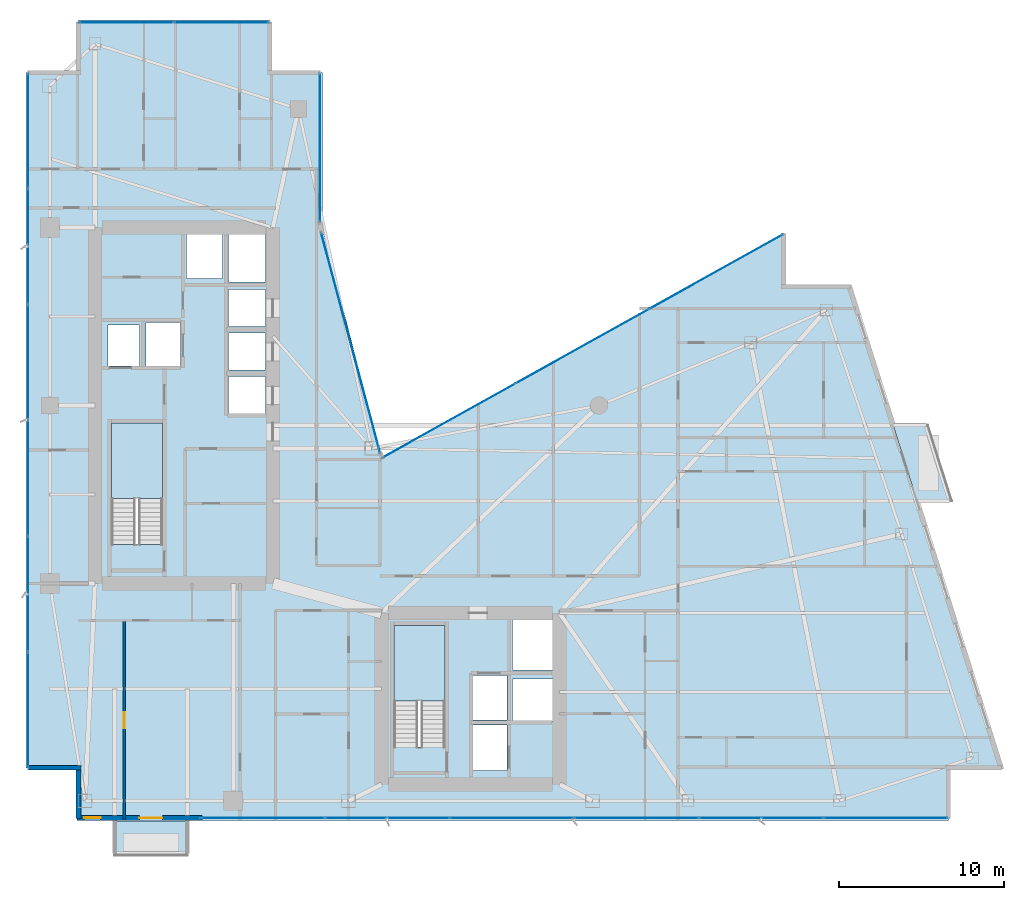
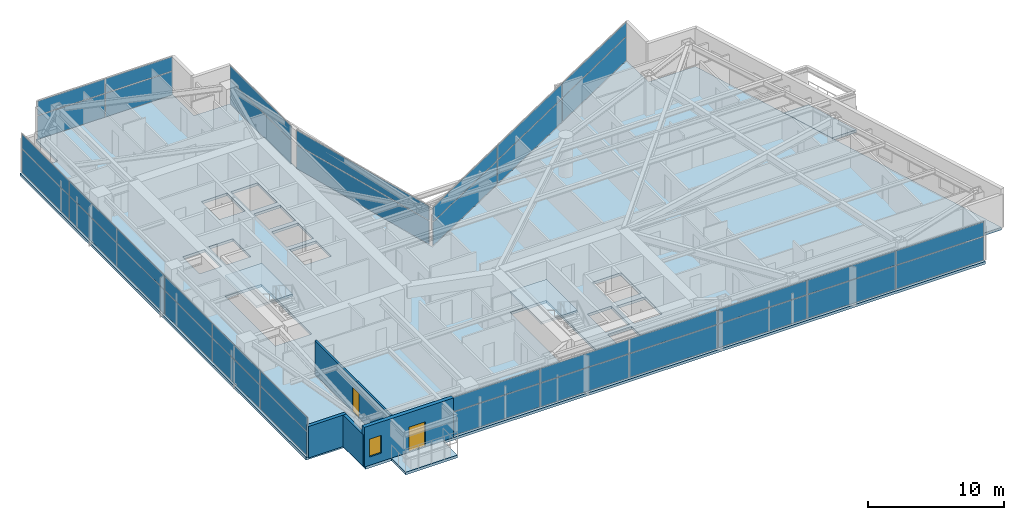
# One storey, part 21 of 28: 38 plates, 5 slabs, 4 walls, 2 doors, 1 window, 3 openings, 8 elements without a shape of their own.
"""IFC4 building model written with IfcOpenShell, lengths in metres."""

import ifcopenshell
import ifcopenshell.guid

model = None  # the IFC model being written
_history = None  # IfcOwnerHistory: only IFC2X3 demands one
_inside = {}  # id of a spatial element -> (the spatial element, [elements in it])
_under = {}  # id of a project, library or spatial element -> (it, [spatial elements below it])
_declared = {}  # id of a project -> (the project, [libraries it declares])
_typed = {}  # id of a type object -> (the type object, [elements of that type])
_made_of = {}  # id of a material, layer set ... -> (it, [elements and type objects made of it])


def new_model(schema):
    """Start an empty IFC model of exactly this schema.

    Asked for "IFC4X3", IfcOpenShell would pick the latest addendum, in which some entities
    have other attributes; the version numbers below select the first issue.
    IFC2X3 requires an IfcOwnerHistory on every rooted entity: one is made here for all.
    """
    global model, _history
    if schema == "IFC4X3":
        model = ifcopenshell.file(schema_version=(4, 3, 0, 0))
    else:
        model = ifcopenshell.file(schema=schema)
    _inside.clear()
    _under.clear()
    _declared.clear()
    _typed.clear()
    _made_of.clear()
    _history = None
    if model.schema == "IFC2X3":
        org = make("IfcOrganization", Name="unknown")
        user = make(
            "IfcPersonAndOrganization",
            ThePerson=make("IfcPerson", FamilyName="unknown"),
            TheOrganization=org,
        )
        app = make(
            "IfcApplication",
            ApplicationDeveloper=org,
            Version="unknown",
            ApplicationFullName="unknown",
            ApplicationIdentifier="unknown",
        )
        _history = make(
            "IfcOwnerHistory",
            OwningUser=user,
            OwningApplication=app,
            ChangeAction="ADDED",
            CreationDate=0,
        )
    return model


def make(cls, **values):
    """One entity of the class cls with the attributes given. An attribute that is None is left unset."""
    return model.create_entity(
        cls, **{name: value for name, value in values.items() if value is not None}
    )


def rooted(cls, **values):
    """An entity with a GlobalId (a new one), such as an element, a storey or a relation."""
    return make(cls, GlobalId=ifcopenshell.guid.new(), OwnerHistory=_history, **values)


def si_unit(unit_type, name, prefix=None):
    """IfcSIUnit, for example si_unit("LENGTHUNIT", "METRE", prefix="MILLI")."""
    return make("IfcSIUnit", UnitType=unit_type, Prefix=prefix, Name=name)


def assignment(units):
    """IfcUnitAssignment: the units of a project."""
    return None if units is None else make("IfcUnitAssignment", Units=units)


def point(xyz):
    """IfcCartesianPoint."""
    return None if xyz is None else make("IfcCartesianPoint", Coordinates=xyz)


def direction(xyz):
    """IfcDirection."""
    return None if xyz is None else make("IfcDirection", DirectionRatios=xyz)


def frame(location, z_axis=None, x_axis=None):
    """IfcAxis2Placement3D, a coordinate frame: its origin and axes. An axis left out is left unset."""
    return make(
        "IfcAxis2Placement3D",
        Location=point(location),
        Axis=direction(z_axis),
        RefDirection=direction(x_axis),
    )


def frame_2d(location, x_axis=None):
    """IfcAxis2Placement2D, a coordinate frame in the plane: its origin and x axis."""
    return make(
        "IfcAxis2Placement2D", Location=point(location), RefDirection=direction(x_axis)
    )


def origin():
    """The frame at (0, 0, 0) with its axes left unset."""
    return frame((0.0, 0.0, 0.0))


def origin_2d():
    """The frame at (0, 0) in the plane with its x axis left unset."""
    return frame_2d((0.0, 0.0))


def place(relative_to, where):
    """IfcLocalPlacement: puts the frame where relative to a parent placement (None: the world)."""
    return make(
        "IfcLocalPlacement", PlacementRelTo=relative_to, RelativePlacement=where
    )


def context(
    kind, dimensions, precision=None, world=None, true_north=None, identifier=None
):
    """IfcGeometricRepresentationContext, for example the 3D "Model" context."""
    return make(
        "IfcGeometricRepresentationContext",
        ContextIdentifier=identifier,
        ContextType=kind,
        CoordinateSpaceDimension=dimensions,
        Precision=precision,
        WorldCoordinateSystem=world,
        TrueNorth=true_north,
    )


def subcontext(parent, identifier, kind, view, scale=None):
    """IfcGeometricRepresentationSubContext, for example "Body" below "Model"."""
    return make(
        "IfcGeometricRepresentationSubContext",
        ContextIdentifier=identifier,
        ContextType=kind,
        ParentContext=parent,
        TargetScale=scale,
        TargetView=view,
    )


def project(units=None, contexts=None):
    """IfcProject with its units and contexts."""
    return rooted(
        "IfcProject",
        Name="project",
        RepresentationContexts=contexts,
        UnitsInContext=assignment(units),
    )


def spatial(cls, under=None, at=None, **own):
    """A site, building, storey or space (cls), placed at a placement, below another one or the project."""
    s = rooted(cls, ObjectPlacement=at, **own)
    if under is not None:
        _under.setdefault(under.id(), (under, []))[1].append(s)
    return s


def polyline(points):
    """IfcPolyline through the points."""
    return make("IfcPolyline", Points=[point(p) for p in points])


def profile(cls, at=None, kind="AREA", **sizes):
    """A parametric profile (cls). Its sizes go by their IFC names, for example OverallWidth=200.0."""
    return make(cls, ProfileType=kind, Position=at, **sizes)


def rectangle(**sizes):
    """IfcRectangleProfileDef."""
    return profile("IfcRectangleProfileDef", **sizes)


def outline(outer, holes=None, kind="AREA"):
    """IfcArbitraryClosedProfileDef: a profile drawn as a closed curve; with holes, ...WithVoids."""
    if holes is None:
        return make("IfcArbitraryClosedProfileDef", ProfileType=kind, OuterCurve=outer)
    return make(
        "IfcArbitraryProfileDefWithVoids",
        ProfileType=kind,
        OuterCurve=outer,
        InnerCurves=holes,
    )


def extrude(swept, where, along, depth):
    """IfcExtrudedAreaSolid: the profile swept, set in the frame where, extruded along a direction by depth."""
    return make(
        "IfcExtrudedAreaSolid",
        SweptArea=swept,
        Position=where,
        ExtrudedDirection=direction(along),
        Depth=depth,
    )


def shape(context_of_items, identifier, shape_type, items):
    """IfcShapeRepresentation: the items that make up one representation, for example the "Body"."""
    return make(
        "IfcShapeRepresentation",
        ContextOfItems=context_of_items,
        RepresentationIdentifier=identifier,
        RepresentationType=shape_type,
        Items=items,
    )


def material(Name=None, Category=None):
    """IfcMaterial."""
    return make("IfcMaterial", Name=Name, Category=Category)


def layer(
    of_material, thickness, ventilated=None, Name=None, Category=None, Priority=None
):
    """IfcMaterialLayer: one layer of a wall or slab, of a material (None: an air gap)."""
    return make(
        "IfcMaterialLayer",
        Material=of_material,
        LayerThickness=thickness,
        IsVentilated=ventilated,
        Name=Name,
        Category=Category,
        Priority=Priority,
    )


def layer_set(layers, Name=None):
    """IfcMaterialLayerSet."""
    return make("IfcMaterialLayerSet", MaterialLayers=layers, LayerSetName=Name)


def made_of(thing, what):
    """Note that an element or type object is made of a material, layer set ...; save() writes the relation."""
    if what is not None:
        _made_of.setdefault(what.id(), (what, []))[1].append(thing)
    return thing


def type_object(cls, material=None, **own):
    """A type object (cls), such as IfcWallType, which elements share."""
    return made_of(rooted(cls, **own), material)


def element(
    cls,
    number,
    at=None,
    inside=None,
    cuts=None,
    type_object=None,
    material=None,
    context=None,
    identifier="Body",
    shape_type=None,
    held_by="IfcProductDefinitionShape",
    body=None,
    shapes=None,
    **own,
):
    """One element of the class cls, such as IfcWall. Its Tag is "e" and its number.

    at: its placement. inside: the storey or other place that contains it. cuts: it is an
    opening in that element (IfcRelVoidsElement). A single representation is given by context,
    identifier, shape_type and body (its items); several are given by shapes. held_by: the class
    of the entity that holds the representations. save() writes the other relations.
    """
    e = rooted(cls, Tag="e%d" % number, ObjectPlacement=at, **own)
    if body is not None:
        shapes = [shape(context, identifier, shape_type, body)]
    if shapes is not None:
        e.Representation = make(held_by, Representations=shapes)
    if inside is not None:
        _inside.setdefault(inside.id(), (inside, []))[1].append(e)
    if cuts is not None:
        rooted(
            "IfcRelVoidsElement", RelatingBuildingElement=cuts, RelatedOpeningElement=e
        )
    if type_object is not None:
        _typed.setdefault(type_object.id(), (type_object, []))[1].append(e)
    return made_of(e, material)


def fill(opening, filler):
    """IfcRelFillsElement: the door or window that sits in an opening."""
    return rooted(
        "IfcRelFillsElement",
        RelatingOpeningElement=opening,
        RelatedBuildingElement=filler,
    )


def aggregate(whole, parts):
    """IfcRelAggregates: a whole, such as a stair, and the parts it consists of."""
    return rooted("IfcRelAggregates", RelatingObject=whole, RelatedObjects=parts)


def save(model, path):
    """Write the relations noted so far, then the file.

    IfcRelAggregates (storeys below a building ...), IfcRelContainedInSpatialStructure (elements
    in a storey), IfcRelDefinesByType, IfcRelAssociatesMaterial and IfcRelDeclares: one each for
    every whole, place, type object, material and project.
    """
    for whole, parts in _under.values():
        aggregate(whole, parts)
    for where, things in _inside.values():
        rooted(
            "IfcRelContainedInSpatialStructure",
            RelatedElements=things,
            RelatingStructure=where,
        )
    for kind, things in _typed.values():
        rooted("IfcRelDefinesByType", RelatedObjects=things, RelatingType=kind)
    for what, things in _made_of.values():
        rooted("IfcRelAssociatesMaterial", RelatedObjects=things, RelatingMaterial=what)
    for by, libraries in _declared.values():
        rooted("IfcRelDeclares", RelatingContext=by, RelatedDefinitions=libraries)
    model.write(path)


model = new_model("IFC4")

# Units and contexts
model_context = context("Model", 3, precision=1e-05, world=origin(), true_north=direction((0.0, 1.0)))
body_context = subcontext(model_context, "Body", "Model", "MODEL_VIEW")
ifc_project = project(units=[si_unit("LENGTHUNIT", "METRE"), si_unit("AREAUNIT", "SQUARE_METRE"), si_unit("VOLUMEUNIT", "CUBIC_METRE"), si_unit("PLANEANGLEUNIT", "RADIAN"), si_unit("MASSUNIT", "GRAM", prefix="KILO")], contexts=[model_context])

# Site, building, storey
site_placement = place(None, origin())
site = spatial("IfcSite", under=ifc_project, at=site_placement, CompositionType="ELEMENT")
building_placement = place(site_placement, origin())
building = spatial("IfcBuilding", under=site, at=building_placement, Name="Calvorn Quay Hotel", CompositionType="ELEMENT")
storey_placement = place(building_placement, frame((0.0, 0.0, 112.60009765625)))
storey = spatial("IfcBuildingStorey", under=building, at=storey_placement, Name="L27", CompositionType="ELEMENT", Elevation=112.60009765625)

# Curtain wall, plates
ifc_material_1 = material(Name="Pale Anodised Aluminium and Low-E Glass", Category="aluminium")
ifc_layer_1 = layer(ifc_material_1, 0.219970703125)
ifc_layer_set_1 = layer_set([ifc_layer_1], Name="CW-SYS-Z2")
curtain_wall_type = type_object("IfcCurtainWallType", Name="CW-SYS-Z2", PredefinedType="NOTDEFINED", material=ifc_layer_set_1)
curtain_wall_1_placement = place(storey_placement, origin())
curtain_wall_1 = element("IfcCurtainWall", 1, at=curtain_wall_1_placement, inside=storey, type_object=curtain_wall_type, Name="Tower West Curtain Wall (L27)", PredefinedType="NOTDEFINED")
ifc_material_2 = material(Name="Low-E Laminated Double Glazing", Category="glass")
ifc_layer_2 = layer(ifc_material_2, 0.028076171875)
ifc_layer_set_2 = layer_set([ifc_layer_2], Name="CW-SYS-Z2-PAN")
plate_type = type_object("IfcPlateType", Name="CW-SYS-Z2-PAN", PredefinedType="CURTAIN_PANEL", material=ifc_layer_set_2)
plate_1_placement = place(storey_placement, frame((0.14990234375, 9.131591796875, 0.06005859375), z_axis=(0.0, 0.0, 1.0), x_axis=(0.0, 1.0, 0.0)))
plate_1 = element("IfcPlate", 2, at=plate_1_placement, type_object=plate_type, Name="CW-L27-W panel 1.1", PredefinedType="CURTAIN_PANEL", context=body_context, shape_type="SweptSolid", body=[
    extrude(rectangle(XDim=6.943359375, YDim=0.028076171875, at=origin_2d()), origin(), (0.0, 0.0, 1.0), 2.110107421875),
])
plate_2_placement = place(storey_placement, frame((0.14990234375, 9.131591796875, 2.22998046875), z_axis=(0.0, 0.0, 1.0), x_axis=(0.0, 1.0, 0.0)))
plate_2 = element("IfcPlate", 3, at=plate_2_placement, type_object=plate_type, Name="CW-L27-W panel 1.2", PredefinedType="CURTAIN_PANEL", context=body_context, shape_type="SweptSolid", body=[
    extrude(rectangle(XDim=6.943359375, YDim=0.028076171875, at=origin_2d()), origin(), (0.0, 0.0, 1.0), 1.27001953125),
])
plate_3_placement = place(storey_placement, frame((0.14990234375, 16.14990234375, 0.06005859375), z_axis=(0.0, 0.0, 1.0), x_axis=(0.0, 1.0, 0.0)))
plate_3 = element("IfcPlate", 4, at=plate_3_placement, type_object=plate_type, Name="CW-L27-W panel 2.1", PredefinedType="CURTAIN_PANEL", context=body_context, shape_type="SweptSolid", body=[
    extrude(rectangle(XDim=6.973388671875, YDim=0.028076171875, at=origin_2d()), origin(), (0.0, 0.0, 1.0), 2.110107421875),
])
plate_4_placement = place(storey_placement, frame((0.14990234375, 16.14990234375, 2.22998046875), z_axis=(0.0, 0.0, 1.0), x_axis=(0.0, 1.0, 0.0)))
plate_4 = element("IfcPlate", 5, at=plate_4_placement, type_object=plate_type, Name="CW-L27-W panel 2.2", PredefinedType="CURTAIN_PANEL", context=body_context, shape_type="SweptSolid", body=[
    extrude(rectangle(XDim=6.973388671875, YDim=0.028076171875, at=origin_2d()), origin(), (0.0, 0.0, 1.0), 1.27001953125),
])
plate_5_placement = place(storey_placement, frame((0.14990234375, 23.183349609375, 0.06005859375), z_axis=(0.0, 0.0, 1.0), x_axis=(0.0, 1.0, 0.0)))
plate_5 = element("IfcPlate", 6, at=plate_5_placement, type_object=plate_type, Name="CW-L27-W panel 3.1", PredefinedType="CURTAIN_PANEL", context=body_context, shape_type="SweptSolid", body=[
    extrude(rectangle(XDim=6.973388671875, YDim=0.028076171875, at=origin_2d()), origin(), (0.0, 0.0, 1.0), 2.110107421875),
])
plate_6_placement = place(storey_placement, frame((0.14990234375, 23.183349609375, 2.22998046875), z_axis=(0.0, 0.0, 1.0), x_axis=(0.0, 1.0, 0.0)))
plate_6 = element("IfcPlate", 7, at=plate_6_placement, type_object=plate_type, Name="CW-L27-W panel 3.2", PredefinedType="CURTAIN_PANEL", context=body_context, shape_type="SweptSolid", body=[
    extrude(rectangle(XDim=6.973388671875, YDim=0.028076171875, at=origin_2d()), origin(), (0.0, 0.0, 1.0), 1.27001953125),
])
plate_7_placement = place(storey_placement, frame((0.14990234375, 30.216552734375, 0.06005859375), z_axis=(0.0, 0.0, 1.0), x_axis=(0.0, 1.0, 0.0)))
plate_7 = element("IfcPlate", 8, at=plate_7_placement, type_object=plate_type, Name="CW-L27-W panel 4.1", PredefinedType="CURTAIN_PANEL", context=body_context, shape_type="SweptSolid", body=[
    extrude(rectangle(XDim=6.973388671875, YDim=0.028076171875, at=origin_2d()), origin(), (0.0, 0.0, 1.0), 2.110107421875),
])
plate_8_placement = place(storey_placement, frame((0.14990234375, 30.216552734375, 2.22998046875), z_axis=(0.0, 0.0, 1.0), x_axis=(0.0, 1.0, 0.0)))
plate_8 = element("IfcPlate", 9, at=plate_8_placement, type_object=plate_type, Name="CW-L27-W panel 4.2", PredefinedType="CURTAIN_PANEL", context=body_context, shape_type="SweptSolid", body=[
    extrude(rectangle(XDim=6.973388671875, YDim=0.028076171875, at=origin_2d()), origin(), (0.0, 0.0, 1.0), 1.27001953125),
])
plate_9_placement = place(storey_placement, frame((0.14990234375, 37.25, 0.06005859375), z_axis=(0.0, 0.0, 1.0), x_axis=(0.0, 1.0, 0.0)))
plate_9 = element("IfcPlate", 10, at=plate_9_placement, type_object=plate_type, Name="CW-L27-W panel 5.1", PredefinedType="CURTAIN_PANEL", context=body_context, shape_type="SweptSolid", body=[
    extrude(rectangle(XDim=6.973388671875, YDim=0.028076171875, at=origin_2d()), origin(), (0.0, 0.0, 1.0), 2.110107421875),
])
plate_10_placement = place(storey_placement, frame((0.14990234375, 37.25, 2.22998046875), z_axis=(0.0, 0.0, 1.0), x_axis=(0.0, 1.0, 0.0)))
plate_10 = element("IfcPlate", 11, at=plate_10_placement, type_object=plate_type, Name="CW-L27-W panel 5.2", PredefinedType="CURTAIN_PANEL", context=body_context, shape_type="SweptSolid", body=[
    extrude(rectangle(XDim=6.973388671875, YDim=0.028076171875, at=origin_2d()), origin(), (0.0, 0.0, 1.0), 1.27001953125),
])
plate_11_placement = place(storey_placement, frame((0.14990234375, 44.268310546875, 0.06005859375), z_axis=(0.0, 0.0, 1.0), x_axis=(0.0, 1.0, 0.0)))
plate_11 = element("IfcPlate", 12, at=plate_11_placement, type_object=plate_type, Name="CW-L27-W panel 6.1", PredefinedType="CURTAIN_PANEL", context=body_context, shape_type="SweptSolid", body=[
    extrude(rectangle(XDim=6.943359375, YDim=0.028076171875, at=origin_2d()), origin(), (0.0, 0.0, 1.0), 2.110107421875),
])
plate_12_placement = place(storey_placement, frame((0.14990234375, 44.268310546875, 2.22998046875), z_axis=(0.0, 0.0, 1.0), x_axis=(0.0, 1.0, 0.0)))
plate_12 = element("IfcPlate", 13, at=plate_12_placement, type_object=plate_type, Name="CW-L27-W panel 6.2", PredefinedType="CURTAIN_PANEL", context=body_context, shape_type="SweptSolid", body=[
    extrude(rectangle(XDim=6.943359375, YDim=0.028076171875, at=origin_2d()), origin(), (0.0, 0.0, 1.0), 1.27001953125),
])
aggregate(curtain_wall_1, [plate_1, plate_2, plate_3, plate_4, plate_5, plate_6, plate_7, plate_8, plate_9, plate_10, plate_11, plate_12])

curtain_wall_2_placement = place(storey_placement, origin())
curtain_wall_2 = element("IfcCurtainWall", 14, at=curtain_wall_2_placement, inside=storey, type_object=curtain_wall_type, Name="Tower South Waterfront Curtain Wall (L27)", PredefinedType="NOTDEFINED")
plate_13_placement = place(storey_placement, frame((14.3984375, 2.550048828125, 0.06005859375), z_axis=(0.0, 0.0, 1.0), x_axis=(1.0, 0.0, 0.0)))
plate_13 = element("IfcPlate", 15, at=plate_13_placement, type_object=plate_type, Name="CW-L27-S panel 1.1", PredefinedType="CURTAIN_PANEL", context=body_context, shape_type="SweptSolid", body=[
    extrude(rectangle(XDim=7.4765625, YDim=0.028076171875, at=origin_2d()), origin(), (0.0, 0.0, 1.0), 2.110107421875),
])
plate_14_placement = place(storey_placement, frame((14.3984375, 2.550048828125, 2.22998046875), z_axis=(0.0, 0.0, 1.0), x_axis=(1.0, 0.0, 0.0)))
plate_14 = element("IfcPlate", 16, at=plate_14_placement, type_object=plate_type, Name="CW-L27-S panel 1.2", PredefinedType="CURTAIN_PANEL", context=body_context, shape_type="SweptSolid", body=[
    extrude(rectangle(XDim=7.4765625, YDim=0.028076171875, at=origin_2d()), origin(), (0.0, 0.0, 1.0), 1.27001953125),
])
plate_15_placement = place(storey_placement, frame((21.949951171875, 2.550048828125, 0.06005859375), z_axis=(0.0, 0.0, 1.0), x_axis=(1.0, 0.0, 0.0)))
plate_15 = element("IfcPlate", 17, at=plate_15_placement, type_object=plate_type, Name="CW-L27-S panel 2.1", PredefinedType="CURTAIN_PANEL", context=body_context, shape_type="SweptSolid", body=[
    extrude(rectangle(XDim=7.506591796875, YDim=0.028076171875, at=origin_2d()), origin(), (0.0, 0.0, 1.0), 2.110107421875),
])
plate_16_placement = place(storey_placement, frame((21.949951171875, 2.550048828125, 2.22998046875), z_axis=(0.0, 0.0, 1.0), x_axis=(1.0, 0.0, 0.0)))
plate_16 = element("IfcPlate", 18, at=plate_16_placement, type_object=plate_type, Name="CW-L27-S panel 2.2", PredefinedType="CURTAIN_PANEL", context=body_context, shape_type="SweptSolid", body=[
    extrude(rectangle(XDim=7.506591796875, YDim=0.028076171875, at=origin_2d()), origin(), (0.0, 0.0, 1.0), 1.27001953125),
])
plate_17_placement = place(storey_placement, frame((29.5166015625, 2.550048828125, 0.06005859375), z_axis=(0.0, 0.0, 1.0), x_axis=(1.0, 0.0, 0.0)))
plate_17 = element("IfcPlate", 19, at=plate_17_placement, type_object=plate_type, Name="CW-L27-S panel 3.1", PredefinedType="CURTAIN_PANEL", context=body_context, shape_type="SweptSolid", body=[
    extrude(rectangle(XDim=7.506591796875, YDim=0.028076171875, at=origin_2d()), origin(), (0.0, 0.0, 1.0), 2.110107421875),
])
plate_18_placement = place(storey_placement, frame((29.5166015625, 2.550048828125, 2.22998046875), z_axis=(0.0, 0.0, 1.0), x_axis=(1.0, 0.0, 0.0)))
plate_18 = element("IfcPlate", 20, at=plate_18_placement, type_object=plate_type, Name="CW-L27-S panel 3.2", PredefinedType="CURTAIN_PANEL", context=body_context, shape_type="SweptSolid", body=[
    extrude(rectangle(XDim=7.506591796875, YDim=0.028076171875, at=origin_2d()), origin(), (0.0, 0.0, 1.0), 1.27001953125),
])
plate_19_placement = place(storey_placement, frame((37.083251953125, 2.550048828125, 0.06005859375), z_axis=(0.0, 0.0, 1.0), x_axis=(1.0, 0.0, 0.0)))
plate_19 = element("IfcPlate", 21, at=plate_19_placement, type_object=plate_type, Name="CW-L27-S panel 4.1", PredefinedType="CURTAIN_PANEL", context=body_context, shape_type="SweptSolid", body=[
    extrude(rectangle(XDim=7.506591796875, YDim=0.028076171875, at=origin_2d()), origin(), (0.0, 0.0, 1.0), 2.110107421875),
])
plate_20_placement = place(storey_placement, frame((37.083251953125, 2.550048828125, 2.22998046875), z_axis=(0.0, 0.0, 1.0), x_axis=(1.0, 0.0, 0.0)))
plate_20 = element("IfcPlate", 22, at=plate_20_placement, type_object=plate_type, Name="CW-L27-S panel 4.2", PredefinedType="CURTAIN_PANEL", context=body_context, shape_type="SweptSolid", body=[
    extrude(rectangle(XDim=7.506591796875, YDim=0.028076171875, at=origin_2d()), origin(), (0.0, 0.0, 1.0), 1.27001953125),
])
plate_21_placement = place(storey_placement, frame((44.64990234375, 2.550048828125, 0.06005859375), z_axis=(0.0, 0.0, 1.0), x_axis=(1.0, 0.0, 0.0)))
plate_21 = element("IfcPlate", 23, at=plate_21_placement, type_object=plate_type, Name="CW-L27-S panel 5.1", PredefinedType="CURTAIN_PANEL", context=body_context, shape_type="SweptSolid", body=[
    extrude(rectangle(XDim=7.506591796875, YDim=0.028076171875, at=origin_2d()), origin(), (0.0, 0.0, 1.0), 2.110107421875),
])
plate_22_placement = place(storey_placement, frame((44.64990234375, 2.550048828125, 2.22998046875), z_axis=(0.0, 0.0, 1.0), x_axis=(1.0, 0.0, 0.0)))
plate_22 = element("IfcPlate", 24, at=plate_22_placement, type_object=plate_type, Name="CW-L27-S panel 5.2", PredefinedType="CURTAIN_PANEL", context=body_context, shape_type="SweptSolid", body=[
    extrude(rectangle(XDim=7.506591796875, YDim=0.028076171875, at=origin_2d()), origin(), (0.0, 0.0, 1.0), 1.27001953125),
])
plate_23_placement = place(storey_placement, frame((52.20166015625, 2.550048828125, 0.06005859375), z_axis=(0.0, 0.0, 1.0), x_axis=(1.0, 0.0, 0.0)))
plate_23 = element("IfcPlate", 25, at=plate_23_placement, type_object=plate_type, Name="CW-L27-S panel 6.1", PredefinedType="CURTAIN_PANEL", context=body_context, shape_type="SweptSolid", body=[
    extrude(rectangle(XDim=7.4765625, YDim=0.028076171875, at=origin_2d()), origin(), (0.0, 0.0, 1.0), 2.110107421875),
])
plate_24_placement = place(storey_placement, frame((52.20166015625, 2.550048828125, 2.22998046875), z_axis=(0.0, 0.0, 1.0), x_axis=(1.0, 0.0, 0.0)))
plate_24 = element("IfcPlate", 26, at=plate_24_placement, type_object=plate_type, Name="CW-L27-S panel 6.2", PredefinedType="CURTAIN_PANEL", context=body_context, shape_type="SweptSolid", body=[
    extrude(rectangle(XDim=7.4765625, YDim=0.028076171875, at=origin_2d()), origin(), (0.0, 0.0, 1.0), 1.27001953125),
])
aggregate(curtain_wall_2, [plate_13, plate_14, plate_15, plate_16, plate_17, plate_18, plate_19, plate_20, plate_21, plate_22, plate_23, plate_24])

curtain_wall_3_placement = place(storey_placement, origin())
curtain_wall_3 = element("IfcCurtainWall", 27, at=curtain_wall_3_placement, inside=storey, type_object=curtain_wall_type, Name="Inner Court Curtain Wall L27-NE1", PredefinedType="NOTDEFINED")
plate_25_placement = place(storey_placement, frame((41.920166015625, 35.72607421875, 0.06005859375), z_axis=(0.0, 0.0, 1.0), x_axis=(-0.873480989116, -0.486858256224, 0.0)))
plate_25 = element("IfcPlate", 28, at=plate_25_placement, type_object=plate_type, Name="CW-L27-NE1 panel 1.1", PredefinedType="CURTAIN_PANEL", context=body_context, shape_type="SweptSolid", body=[
    extrude(rectangle(XDim=9.221435546875, YDim=0.028076171875, at=origin_2d()), origin(), (0.0, 0.0, 1.0), 2.110107421875),
])
plate_26_placement = place(storey_placement, frame((41.920166015625, 35.72607421875, 2.22998046875), z_axis=(0.0, 0.0, 1.0), x_axis=(-0.873480989116, -0.486858256224, 0.0)))
plate_26 = element("IfcPlate", 29, at=plate_26_placement, type_object=plate_type, Name="CW-L27-NE1 panel 1.2", PredefinedType="CURTAIN_PANEL", context=body_context, shape_type="SweptSolid", body=[
    extrude(rectangle(XDim=9.221435546875, YDim=0.028076171875, at=origin_2d()), origin(), (0.0, 0.0, 1.0), 1.27001953125),
])
plate_27_placement = place(storey_placement, frame((33.800048828125, 31.199951171875, 0.06005859375), z_axis=(0.0, 0.0, 1.0), x_axis=(-0.873480989116, -0.486858256224, 0.0)))
plate_27 = element("IfcPlate", 30, at=plate_27_placement, type_object=plate_type, Name="CW-L27-NE1 panel 2.1", PredefinedType="CURTAIN_PANEL", context=body_context, shape_type="SweptSolid", body=[
    extrude(rectangle(XDim=9.25146484375, YDim=0.028076171875, at=origin_2d()), origin(), (0.0, 0.0, 1.0), 2.110107421875),
])
plate_28_placement = place(storey_placement, frame((33.800048828125, 31.199951171875, 2.22998046875), z_axis=(0.0, 0.0, 1.0), x_axis=(-0.873480989116, -0.486858256224, 0.0)))
plate_28 = element("IfcPlate", 31, at=plate_28_placement, type_object=plate_type, Name="CW-L27-NE1 panel 2.2", PredefinedType="CURTAIN_PANEL", context=body_context, shape_type="SweptSolid", body=[
    extrude(rectangle(XDim=9.25146484375, YDim=0.028076171875, at=origin_2d()), origin(), (0.0, 0.0, 1.0), 1.27001953125),
])
plate_29_placement = place(storey_placement, frame((25.6796875, 26.674072265625, 0.06005859375), z_axis=(0.0, 0.0, 1.0), x_axis=(-0.873480989116, -0.486858256224, 0.0)))
plate_29 = element("IfcPlate", 32, at=plate_29_placement, type_object=plate_type, Name="CW-L27-NE1 panel 3.1", PredefinedType="CURTAIN_PANEL", context=body_context, shape_type="SweptSolid", body=[
    extrude(rectangle(XDim=9.221435546875, YDim=0.028076171875, at=origin_2d()), origin(), (0.0, 0.0, 1.0), 2.110107421875),
])
plate_30_placement = place(storey_placement, frame((25.6796875, 26.674072265625, 2.22998046875), z_axis=(0.0, 0.0, 1.0), x_axis=(-0.873480989116, -0.486858256224, 0.0)))
plate_30 = element("IfcPlate", 33, at=plate_30_placement, type_object=plate_type, Name="CW-L27-NE1 panel 3.2", PredefinedType="CURTAIN_PANEL", context=body_context, shape_type="SweptSolid", body=[
    extrude(rectangle(XDim=9.221435546875, YDim=0.028076171875, at=origin_2d()), origin(), (0.0, 0.0, 1.0), 1.27001953125),
])
aggregate(curtain_wall_3, [plate_25, plate_26, plate_27, plate_28, plate_29, plate_30])

curtain_wall_4_placement = place(storey_placement, origin())
curtain_wall_4 = element("IfcCurtainWall", 34, at=curtain_wall_4_placement, inside=storey, type_object=curtain_wall_type, Name="Inner Court Curtain Wall L27-IC1", PredefinedType="NOTDEFINED")
plate_31_placement = place(storey_placement, frame((19.72509765625, 31.39990234375, 0.06005859375), z_axis=(0.0, 0.0, 1.0), x_axis=(-0.25877913024, 0.96593652056, 0.0)))
plate_31 = element("IfcPlate", 35, at=plate_31_placement, type_object=plate_type, Name="CW-L27-IC1 panel 1.1", PredefinedType="CURTAIN_PANEL", context=body_context, shape_type="SweptSolid", body=[
    extrude(rectangle(XDim=13.814697265625, YDim=0.028076171875, at=origin_2d()), origin(), (0.0, 0.0, 1.0), 2.110107421875),
])
plate_32_placement = place(storey_placement, frame((19.72509765625, 31.39990234375, 2.22998046875), z_axis=(0.0, 0.0, 1.0), x_axis=(-0.25877913024, 0.96593652056, 0.0)))
plate_32 = element("IfcPlate", 36, at=plate_32_placement, type_object=plate_type, Name="CW-L27-IC1 panel 1.2", PredefinedType="CURTAIN_PANEL", context=body_context, shape_type="SweptSolid", body=[
    extrude(rectangle(XDim=13.814697265625, YDim=0.028076171875, at=origin_2d()), origin(), (0.0, 0.0, 1.0), 1.27001953125),
])
aggregate(curtain_wall_4, [plate_31, plate_32])

curtain_wall_5_placement = place(storey_placement, origin())
curtain_wall_5 = element("IfcCurtainWall", 37, at=curtain_wall_5_placement, inside=storey, type_object=curtain_wall_type, Name="Inner Court Curtain Wall L27-IC2", PredefinedType="NOTDEFINED")
plate_33_placement = place(storey_placement, frame((17.85009765625, 43.239990234375, 0.06005859375), z_axis=(0.0, 0.0, 1.0), x_axis=(0.0, 1.0, 0.0)))
plate_33 = element("IfcPlate", 38, at=plate_33_placement, type_object=plate_type, Name="CW-L27-IC2 panel 1.1", PredefinedType="CURTAIN_PANEL", context=body_context, shape_type="SweptSolid", body=[
    extrude(rectangle(XDim=9.0, YDim=0.028076171875, at=origin_2d()), origin(), (0.0, 0.0, 1.0), 2.110107421875),
])
plate_34_placement = place(storey_placement, frame((17.85009765625, 43.239990234375, 2.22998046875), z_axis=(0.0, 0.0, 1.0), x_axis=(0.0, 1.0, 0.0)))
plate_34 = element("IfcPlate", 39, at=plate_34_placement, type_object=plate_type, Name="CW-L27-IC2 panel 1.2", PredefinedType="CURTAIN_PANEL", context=body_context, shape_type="SweptSolid", body=[
    extrude(rectangle(XDim=9.0, YDim=0.028076171875, at=origin_2d()), origin(), (0.0, 0.0, 1.0), 1.27001953125),
])
aggregate(curtain_wall_5, [plate_33, plate_34])

curtain_wall_6_placement = place(storey_placement, origin())
curtain_wall_6 = element("IfcCurtainWall", 40, at=curtain_wall_6_placement, inside=storey, type_object=curtain_wall_type, Name="Inner Court Curtain Wall L27-N1", PredefinedType="NOTDEFINED")
plate_35_placement = place(storey_placement, frame((11.885009765625, 50.85009765625, 0.06005859375), z_axis=(0.0, 0.0, 1.0), x_axis=(-1.0, 0.0, 0.0)))
plate_35 = element("IfcPlate", 41, at=plate_35_placement, type_object=plate_type, Name="CW-L27-N1 panel 1.1", PredefinedType="CURTAIN_PANEL", context=body_context, shape_type="SweptSolid", body=[
    extrude(rectangle(XDim=5.7099609375, YDim=0.028076171875, at=origin_2d()), origin(), (0.0, 0.0, 1.0), 2.110107421875),
])
plate_36_placement = place(storey_placement, frame((11.885009765625, 50.85009765625, 2.22998046875), z_axis=(0.0, 0.0, 1.0), x_axis=(-1.0, 0.0, 0.0)))
plate_36 = element("IfcPlate", 42, at=plate_36_placement, type_object=plate_type, Name="CW-L27-N1 panel 1.2", PredefinedType="CURTAIN_PANEL", context=body_context, shape_type="SweptSolid", body=[
    extrude(rectangle(XDim=5.7099609375, YDim=0.028076171875, at=origin_2d()), origin(), (0.0, 0.0, 1.0), 1.27001953125),
])
plate_37_placement = place(storey_placement, frame((6.114990234375, 50.85009765625, 0.06005859375), z_axis=(0.0, 0.0, 1.0), x_axis=(-1.0, 0.0, 0.0)))
plate_37 = element("IfcPlate", 43, at=plate_37_placement, type_object=plate_type, Name="CW-L27-N1 panel 2.1", PredefinedType="CURTAIN_PANEL", context=body_context, shape_type="SweptSolid", body=[
    extrude(rectangle(XDim=5.7099609375, YDim=0.028076171875, at=origin_2d()), origin(), (0.0, 0.0, 1.0), 2.110107421875),
])
plate_38_placement = place(storey_placement, frame((6.114990234375, 50.85009765625, 2.22998046875), z_axis=(0.0, 0.0, 1.0), x_axis=(-1.0, 0.0, 0.0)))
plate_38 = element("IfcPlate", 44, at=plate_38_placement, type_object=plate_type, Name="CW-L27-N1 panel 2.2", PredefinedType="CURTAIN_PANEL", context=body_context, shape_type="SweptSolid", body=[
    extrude(rectangle(XDim=5.7099609375, YDim=0.028076171875, at=origin_2d()), origin(), (0.0, 0.0, 1.0), 1.27001953125),
])
aggregate(curtain_wall_6, [plate_35, plate_36, plate_37, plate_38])

# Slabs
ifc_material_3 = material(Name="Concrete C40", Category="concrete")
ifc_layer_3 = layer(ifc_material_3, 0.239990234375)
ifc_layer_set_3 = layer_set([ifc_layer_3], Name="SLB-BALCONY-220")
slab_type_1 = type_object("IfcSlabType", Name="SLB-BALCONY-220", PredefinedType="FLOOR", material=ifc_layer_set_3)
slab_1_placement = place(storey_placement, frame((0.0, 0.0, -0.239990234375)))
element("IfcSlab", 45, at=slab_1_placement, inside=storey, type_object=slab_type_1, Name="Tree Balcony Slab L27-BALC-E", PredefinedType="FLOOR", context=body_context, shape_type="SweptSolid", body=[
    extrude(outline(polyline([(54.10595703125, 21.800048828125), (56.2060546875, 21.800048828125), (54.757080078125, 26.39990234375), (52.656982421875, 26.39990234375), (54.10595703125, 21.800048828125)])), origin(), (0.0, 0.0, 1.0), 0.239990234375),
])
slab_2_placement = place(storey_placement, frame((0.0, 0.0, -0.239990234375)))
element("IfcSlab", 46, at=slab_2_placement, inside=storey, type_object=slab_type_1, Name="Tree Balcony Slab L27-BALC-S", PredefinedType="FLOOR", context=body_context, shape_type="SweptSolid", body=[
    extrude(outline(polyline([(5.39990234375, 0.2900390625), (9.800048828125, 0.2900390625), (9.800048828125, 2.389892578125), (5.39990234375, 2.389892578125), (5.39990234375, 0.2900390625)])), origin(), (0.0, 0.0, 1.0), 0.239990234375),
])

# Stair, slab
ifc_material_4 = material(Name="Concrete C40", Category="concrete")
stair_type = type_object("IfcStairType", Name="STR-CORE-DOGLEG", PredefinedType="HALF_TURN_STAIR", material=ifc_material_4)
stair_1_placement = place(storey_placement, origin())
stair_1 = element("IfcStair", 47, at=stair_1_placement, inside=storey, type_object=stair_type, Name="L27 ST-W", PredefinedType="HALF_TURN_STAIR")
ifc_material_5 = material(Name="Concrete C40", Category="concrete")
ifc_layer_4 = layer(ifc_material_5, 0.199951171875)
ifc_layer_set_4 = layer_set([ifc_layer_4], Name="SLB-STAIR-LANDING-200")
slab_type_2 = type_object("IfcSlabType", Name="SLB-STAIR-LANDING-200", PredefinedType="LANDING", material=ifc_layer_set_4)
slab_3_placement = place(storey_placement, frame((0.0, 0.0, 1.699951171875)))
slab_3 = element("IfcSlab", 48, at=slab_3_placement, type_object=slab_type_2, Name="ST-W landing 1", PredefinedType="LANDING", context=body_context, shape_type="SweptSolid", body=[
    extrude(outline(polyline([(8.300048828125, 21.949951171875), (8.300048828125, 26.550048828125), (5.199951171875, 26.550048828125), (5.199951171875, 21.949951171875), (8.300048828125, 21.949951171875)])), origin(), (0.0, 0.0, 1.0), 0.199951171875),
])
aggregate(stair_1, [slab_3])

stair_2_placement = place(storey_placement, origin())
stair_2 = element("IfcStair", 49, at=stair_2_placement, inside=storey, type_object=stair_type, Name="L27 ST-E", PredefinedType="HALF_TURN_STAIR")
slab_4_placement = place(storey_placement, frame((0.0, 0.0, 1.699951171875)))
slab_4 = element("IfcSlab", 50, at=slab_4_placement, type_object=slab_type_2, Name="ST-E landing 1", PredefinedType="LANDING", context=body_context, shape_type="SweptSolid", body=[
    extrude(outline(polyline([(25.449951171875, 9.64990234375), (25.449951171875, 14.25), (22.35009765625, 14.25), (22.35009765625, 9.64990234375), (25.449951171875, 9.64990234375)])), origin(), (0.0, 0.0, 1.0), 0.199951171875),
])
aggregate(stair_2, [slab_4])

# Slab
ifc_material_6 = material(Name="Concrete C40", Category="concrete")
ifc_layer_5 = layer(ifc_material_6, 0.239990234375)
ifc_layer_set_5 = layer_set([ifc_layer_5], Name="SLB-TOWER-240")
slab_type_3 = type_object("IfcSlabType", Name="SLB-TOWER-240", PredefinedType="FLOOR", material=ifc_layer_set_5)
slab_5_placement = place(storey_placement, frame((0.0, 0.0, -0.239990234375)))
element("IfcSlab", 51, at=slab_5_placement, inside=storey, type_object=slab_type_3, Name="L27 Structural Floor Slab", PredefinedType="FLOOR", context=body_context, shape_type="SweptSolid", body=[
    extrude(outline(polyline([(0.0, 5.60009765625), (3.199951171875, 5.60009765625), (3.199951171875, 2.39990234375), (56.0, 2.39990234375), (56.0, 5.60009765625), (59.199951171875, 5.60009765625), (50.0, 34.800048828125), (46.0, 34.800048828125), (46.0, 38.0), (21.60009765625, 24.39990234375), (18.0, 38.39990234375), (18.0, 47.800048828125), (14.800048828125, 47.800048828125), (14.800048828125, 51.0), (3.199951171875, 51.0), (3.199951171875, 47.800048828125), (0.0, 47.800048828125), (0.0, 5.60009765625)]), holes=[polyline([(5.199951171875, 19.156005859375), (8.300048828125, 19.156005859375), (8.300048828125, 26.550048828125), (5.199951171875, 26.550048828125), (5.199951171875, 19.156005859375)]), polyline([(22.35009765625, 6.85595703125), (25.449951171875, 6.85595703125), (25.449951171875, 14.25), (22.35009765625, 14.25), (22.35009765625, 6.85595703125)]), polyline([(5.0, 30.0), (6.89990234375, 30.0), (6.89990234375, 32.5), (5.0, 32.5), (5.0, 30.0)]), polyline([(7.300048828125, 30.0), (9.39990234375, 30.0), (9.39990234375, 32.64990234375), (7.300048828125, 32.64990234375), (7.300048828125, 30.0)]), polyline([(27.159912109375, 8.5), (29.2099609375, 8.5), (29.2099609375, 11.199951171875), (27.159912109375, 11.199951171875), (27.159912109375, 8.5)]), polyline([(27.159912109375, 5.449951171875), (29.2099609375, 5.449951171875), (29.2099609375, 8.199951171875), (27.159912109375, 8.199951171875), (27.159912109375, 5.449951171875)]), polyline([(12.300048828125, 27.10009765625), (14.56494140625, 27.10009765625), (14.56494140625, 29.35009765625), (12.300048828125, 29.35009765625), (12.300048828125, 27.10009765625)]), polyline([(12.300048828125, 29.75), (14.56494140625, 29.75), (14.56494140625, 32.0), (12.300048828125, 32.0), (12.300048828125, 29.75)]), polyline([(12.300048828125, 32.39990234375), (14.56494140625, 32.39990234375), (14.56494140625, 34.64990234375), (12.300048828125, 34.64990234375), (12.300048828125, 32.39990234375)]), polyline([(12.300048828125, 35.10009765625), (14.56494140625, 35.10009765625), (14.56494140625, 37.965087890625), (12.300048828125, 37.965087890625), (12.300048828125, 35.10009765625)]), polyline([(9.75, 35.300048828125), (11.949951171875, 35.300048828125), (11.949951171875, 37.965087890625), (9.75, 37.965087890625), (9.75, 35.300048828125)]), polyline([(29.550048828125, 11.550048828125), (31.965087890625, 11.550048828125), (31.965087890625, 14.56494140625), (29.550048828125, 14.56494140625), (29.550048828125, 11.550048828125)]), polyline([(29.550048828125, 8.449951171875), (31.965087890625, 8.449951171875), (31.965087890625, 11.0), (29.550048828125, 11.0), (29.550048828125, 8.449951171875)])]), origin(), (0.0, 0.0, 1.0), 0.239990234375),
])

# Wall, openings, door, window
ifc_material_7 = material(Name="Concrete C40", Category="concrete")
ifc_layer_6 = layer(ifc_material_7, 0.320068359375)
ifc_layer_set_6 = layer_set([ifc_layer_6], Name="WL-EXT-SPANDREL-320")
wall_type_1 = type_object("IfcWallType", Name="WL-EXT-SPANDREL-320", PredefinedType="SOLIDWALL", material=ifc_layer_set_6)
wall_1_placement = place(storey_placement, frame((3.10009765625, 2.56005859375, 0.0), z_axis=(0.0, 0.0, 1.0), x_axis=(1.0, 0.0, 0.0)))
wall_1 = element("IfcWall", 52, at=wall_1_placement, inside=storey, type_object=wall_type_1, Name="South Balcony Exterior Wall (L27)", PredefinedType="SOLIDWALL", context=body_context, shape_type="SweptSolid", body=[
    extrude(rectangle(XDim=7.599853515625, YDim=0.320068359375, at=frame_2d((3.7998046875, 0.0))), origin(), (0.0, 0.0, 1.0), 3.559814453125),
])
opening_1_placement = place(wall_1_placement, frame((0.449951171875, 0.0, 0.75)))
opening_1 = element("IfcOpeningElement", 53, at=opening_1_placement, cuts=wall_1, Name="Opening WSB-L27-1", PredefinedType="OPENING", context=body_context, shape_type="SweptSolid", body=[
    extrude(rectangle(XDim=1.0, YDim=1.60009765625, at=frame_2d((0.5, 0.800048828125))), frame((0.0, 0.169921875, 0.0), z_axis=(0.0, -1.0, 0.0), x_axis=(1.0, 0.0, 0.0)), (0.0, 0.0, 1.0), 0.340087890625),
])
opening_2_placement = place(wall_1_placement, frame((3.800048828125, 0.0, 0.0)))
opening_2 = element("IfcOpeningElement", 54, at=opening_2_placement, cuts=wall_1, Name="Opening DB-L27-2", PredefinedType="OPENING", context=body_context, shape_type="SweptSolid", body=[
    extrude(rectangle(XDim=1.39990234375, YDim=2.25, at=frame_2d((0.699951171875, 1.125))), frame((0.0, 0.169921875, 0.0), z_axis=(0.0, -1.0, 0.0), x_axis=(1.0, 0.0, 0.0)), (0.0, 0.0, 1.0), 0.340087890625),
])
ifc_material_8 = material(Name="Typhoon-Rated Low-E Aluminium Terrace Door", Category="aluminium")
door_type_1 = type_object("IfcDoorType", Name="DR-BALCONY-GLZ-1400", OperationType="NOTDEFINED", PredefinedType="DOOR", material=ifc_material_8)
door_1_placement = place(opening_2_placement, origin())
door_1 = element("IfcDoor", 55, at=door_1_placement, inside=storey, type_object=door_type_1, Name="Tree Balcony Terrace Door L27-BALC-S", OperationType="SINGLE_SWING_LEFT", OverallHeight=2.25, OverallWidth=1.39990234375, PredefinedType="DOOR", context=body_context, shape_type="SweptSolid", body=[
    extrude(rectangle(XDim=1.39990234375, YDim=2.25, at=frame_2d((0.699951171875, 1.125))), frame((0.0, 0.02490234375, 0.0), z_axis=(0.0, -1.0, 0.0), x_axis=(1.0, 0.0, 0.0)), (0.0, 0.0, 1.0), 0.050048828125),
])
fill(opening_2, door_1)
ifc_material_9 = material(Name="Self-Closing Class B Side Fire Window")
window_type = type_object("IfcWindowType", Name="WIN-REFUGE-NARROW-1000x1600", PartitioningType="SINGLE_PANEL", PredefinedType="WINDOW", material=ifc_material_9)
window_placement = place(opening_1_placement, origin())
window = element("IfcWindow", 56, at=window_placement, inside=storey, type_object=window_type, Name="South Waterfront Side Window (L27)", OverallHeight=1.60009765625, OverallWidth=1.0, PartitioningType="SINGLE_PANEL", PredefinedType="WINDOW", context=body_context, shape_type="SweptSolid", body=[
    extrude(rectangle(XDim=1.0, YDim=1.60009765625, at=frame_2d((0.5, 0.800048828125))), frame((0.0, 0.030029296875, 0.0), z_axis=(0.0, -1.0, 0.0), x_axis=(1.0, 0.0, 0.0)), (0.0, 0.0, 1.0), 0.06005859375),
])
fill(opening_1, window)

# Walls
wall_2_placement = place(storey_placement, frame((0.1201171875, 5.60009765625, 0.0), z_axis=(0.0, 0.0, 1.0), x_axis=(1.0, 0.0, 0.0)))
element("IfcWall", 57, at=wall_2_placement, inside=storey, type_object=wall_type_1, Name="Notched Corner Spandrel L27-SW1", PredefinedType="SOLIDWALL", context=body_context, shape_type="SweptSolid", body=[
    extrude(rectangle(XDim=3.219970703125, YDim=0.280029296875, at=frame_2d((1.60986328125, 0.0))), origin(), (0.0, 0.0, 1.0), 2.83984375),
])
wall_3_placement = place(storey_placement, frame((3.199951171875, 5.4599609375, 0.0), z_axis=(0.0, 0.0, 1.0), x_axis=(0.0, -1.0, 0.0)))
element("IfcWall", 58, at=wall_3_placement, inside=storey, type_object=wall_type_1, Name="Notched Corner Spandrel L27-SW2", PredefinedType="SOLIDWALL", context=body_context, shape_type="SweptSolid", body=[
    extrude(rectangle(XDim=2.93994140625, YDim=0.280029296875, at=frame_2d((1.469970703125, 0.0))), origin(), (0.0, 0.0, 1.0), 2.83984375),
])

# Wall, opening, door
ifc_material_10 = material(Name="Double-Stud Acoustic Gypsum Partition")
ifc_layer_7 = layer(ifc_material_10, 0.159912109375)
ifc_layer_set_7 = layer_set([ifc_layer_7], Name="WL-INTERSUITE-160")
wall_type_2 = type_object("IfcWallType", Name="WL-INTERSUITE-160", PredefinedType="PARTITIONING", material=ifc_layer_set_7)
wall_4_placement = place(storey_placement, frame((5.97998046875, 2.43994140625, 0.0), z_axis=(0.0, 0.0, 1.0), x_axis=(0.0, 1.0, 0.0)))
wall_4 = element("IfcWall", 59, at=wall_4_placement, inside=storey, type_object=wall_type_2, Name="Partition Wall L27-WL-U01-MSP", PredefinedType="PARTITIONING", context=body_context, shape_type="SweptSolid", body=[
    extrude(rectangle(XDim=12.110107421875, YDim=0.159912109375, at=frame_2d((6.05517578125, 0.0))), origin(), (0.0, 0.0, 1.0), 3.039794921875),
])
opening_3_placement = place(wall_4_placement, frame((5.580078125, 0.0, 0.0)))
opening_3 = element("IfcOpeningElement", 60, at=opening_3_placement, cuts=wall_4, Name="Opening D-L27-M01", PredefinedType="OPENING", context=body_context, shape_type="SweptSolid", body=[
    extrude(rectangle(XDim=0.9599609375, YDim=2.199951171875, at=frame_2d((0.47998046875, 1.10009765625))), frame((0.0, 0.08984375, 0.0), z_axis=(0.0, -1.0, 0.0), x_axis=(1.0, 0.0, 0.0)), (0.0, 0.0, 1.0), 0.179931640625),
])
ifc_material_11 = material(Name="Solid Timber Internal Suite Door", Category="wood")
door_type_2 = type_object("IfcDoorType", Name="DR-SUITE-INT-960", OperationType="NOTDEFINED", PredefinedType="DOOR", material=ifc_material_11)
door_2_placement = place(opening_3_placement, origin())
door_2 = element("IfcDoor", 61, at=door_2_placement, inside=storey, type_object=door_type_2, Name="Suite Bedroom Door 01", OperationType="SINGLE_SWING_LEFT", OverallHeight=2.199951171875, OverallWidth=0.9599609375, PredefinedType="DOOR", context=body_context, shape_type="SweptSolid", body=[
    extrude(rectangle(XDim=0.9599609375, YDim=2.199951171875, at=frame_2d((0.47998046875, 1.10009765625))), frame((0.0, 0.02490234375, 0.0), z_axis=(0.0, -1.0, 0.0), x_axis=(1.0, 0.0, 0.0)), (0.0, 0.0, 1.0), 0.050048828125),
])
fill(opening_3, door_2)

save(model, "model.ifc")
